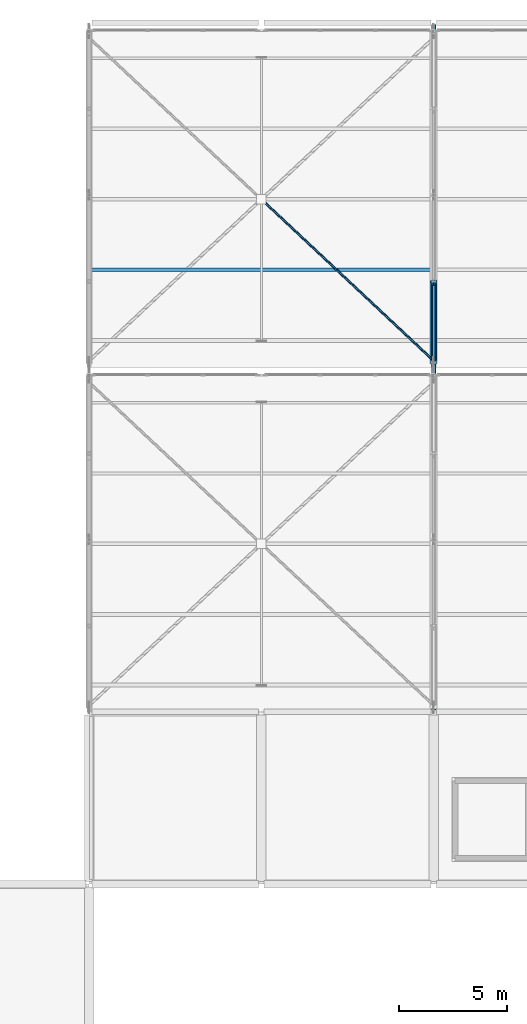
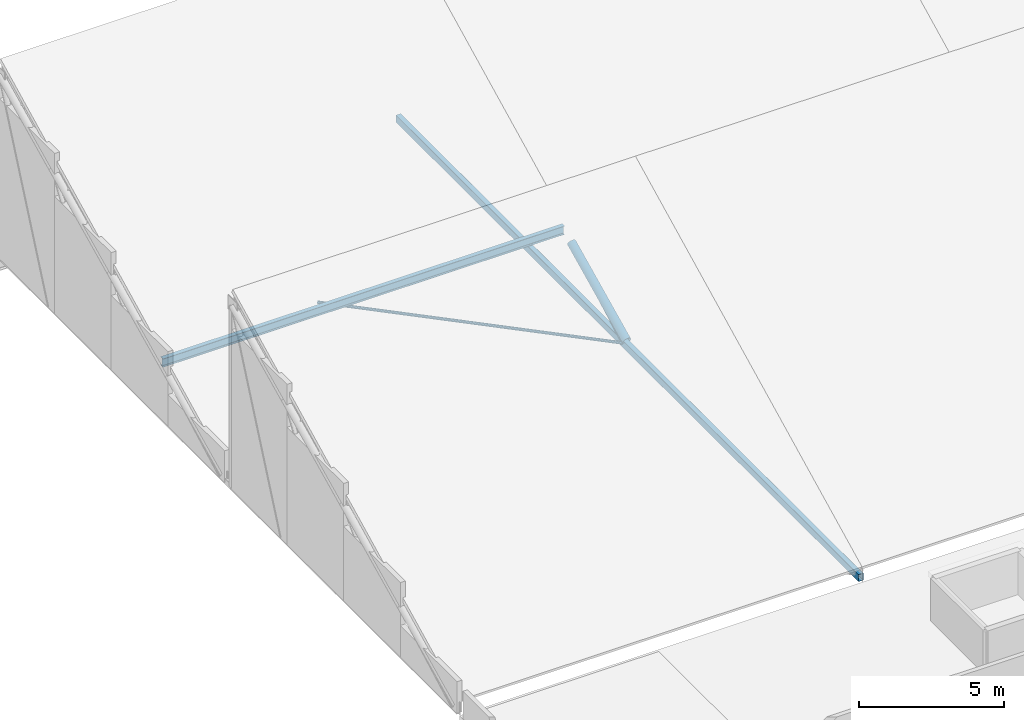
# One storey, part 43 of 137: 4 members, 1 beam.
"""IFC4 building model written with IfcOpenShell, lengths in metres."""

from ifc_helpers import new_model, si_unit, direction, frame, origin, origin_2d, place, context, subcontext, project, spatial, hollow_rectangle, hollow_circle, i_section, extrude, material, material_profile, profile_set, type_object, element, save


model = new_model("IFC4")

# Units and contexts
model_context = context("Model", 3, precision=1e-05, world=origin(), true_north=direction((0.0, 1.0)))
body_context = subcontext(model_context, "Body", "Model", "MODEL_VIEW")
ifc_project = project(units=[si_unit("LENGTHUNIT", "METRE"), si_unit("AREAUNIT", "SQUARE_METRE"), si_unit("VOLUMEUNIT", "CUBIC_METRE"), si_unit("PLANEANGLEUNIT", "RADIAN"), si_unit("MASSUNIT", "GRAM", prefix="KILO")], contexts=[model_context])

# Site, building, storey
site_placement = place(None, origin())
site = spatial("IfcSite", under=ifc_project, at=site_placement, CompositionType="ELEMENT")
building_placement = place(site_placement, origin())
building = spatial("IfcBuilding", under=site, at=building_placement, Name="Jelvoka-Kovrelna Polytechnic", CompositionType="ELEMENT")
storey_placement = place(building_placement, frame((0.0, 0.0, 9.60009765625)))
storey = spatial("IfcBuildingStorey", under=building, at=storey_placement, Name="L03", CompositionType="ELEMENT", Elevation=9.60009765625)

# Members
ifc_material_1 = material(Name="Structural steel S355J2H", Category="steel")
ifc_material_profile_1 = material_profile(ifc_material_1, hollow_circle(Radius=0.05712890625, WallThickness=0.00634765625, at=origin_2d()), Name="114.3x6.3 CHS")
ifc_profile_set_1 = profile_set([ifc_material_profile_1], Name="Structural steel S355J2H")
member_type_1 = type_object("IfcMemberType", Name="Member_Brace_CHS114", PredefinedType="BRACE", material=ifc_profile_set_1)
member_1_placement = place(storey_placement, frame((96.065673828125, 111.738525390625, 0.14990234375), z_axis=(0.729679522085, -0.683789291412, 0.0), x_axis=(0.683789291412, 0.729679522085, 0.0)))
element("IfcMember", 1, at=member_1_placement, inside=storey, type_object=member_type_1, Name="Sawtooth roof split X-brace half-diagonal 0206B", PredefinedType="BRACE", context=body_context, shape_type="SweptSolid", body=[
    extrude(hollow_circle(Radius=0.05712890625, WallThickness=0.00634765625, at=origin_2d()), origin(), (0.0, 0.0, 1.0), 10.80517578125),
])
ifc_material_2 = material(Name="Structural steel S355J2H", Category="steel")
ifc_material_profile_2 = material_profile(ifc_material_2, hollow_circle(Radius=0.109619140625, WallThickness=0.008056640625, at=origin_2d()), Name="219.1x8.0 CHS")
ifc_profile_set_2 = profile_set([ifc_material_profile_2], Name="Structural steel S355J2H")
member_type_2 = type_object("IfcMemberType", Name="Member_Brace_CHS219", PredefinedType="BRACE", material=ifc_profile_set_2)
member_2_placement = place(storey_placement, frame((104.0, 104.340087890625, 0.14990234375), z_axis=(0.0, 0.878084029324, 0.478506465418), x_axis=(-1.0, 0.0, 0.0)))
element("IfcMember", 2, at=member_2_placement, inside=storey, type_object=member_type_2, Name="Sawtooth truss 2 diagonal web 2.1", PredefinedType="BRACE", context=body_context, shape_type="SweptSolid", body=[
    extrude(hollow_circle(Radius=0.109619140625, WallThickness=0.008056640625, at=origin_2d()), origin(), (0.0, 0.0, 1.0), 4.0087890625),
])
ifc_material_3 = material(Name="Structural steel S355J2H", Category="steel")
ifc_material_profile_3 = material_profile(ifc_material_3, hollow_circle(Radius=0.161865234375, WallThickness=0.010009765625, at=origin_2d()), Name="323.9x10.0 CHS")
ifc_profile_set_3 = profile_set([ifc_material_profile_3], Name="Structural steel S355J2H")
member_type_3 = type_object("IfcMemberType", Name="Member_Chord_CHS324", PredefinedType="CHORD", material=ifc_profile_set_3)
member_3_placement = place(storey_placement, frame((104.0, 104.199951171875, 0.31640625), z_axis=(0.0, 0.900803851837, 0.434226231952), x_axis=(-1.0, 0.0, 0.0)))
element("IfcMember", 3, at=member_3_placement, inside=storey, type_object=member_type_3, Name="Sawtooth truss 2 top chord 2.1", PredefinedType="CHORD", context=body_context, shape_type="SweptSolid", body=[
    extrude(hollow_circle(Radius=0.161865234375, WallThickness=0.010009765625, at=origin_2d()), origin(), (0.0, 0.0, 1.0), 4.218505859375),
])
ifc_material_4 = material(Name="Structural steel S355J2H", Category="steel")
ifc_material_profile_4 = material_profile(ifc_material_4, hollow_rectangle(XDim=0.199951171875, YDim=0.300048828125, WallThickness=0.010009765625, InnerFilletRadius=0.010009765625, OuterFilletRadius=0.014892578125, at=origin_2d()), Name="300x200x10.0 RHS")
ifc_profile_set_4 = profile_set([ifc_material_profile_4], Name="Structural steel S355J2H")
member_type_4 = type_object("IfcMemberType", Name="Member_Chord_RHS300", PredefinedType="CHORD", material=ifc_profile_set_4)
member_4_placement = place(storey_placement, frame((104.0, 88.080078125, 0.14990234375), z_axis=(0.0, 1.0, 0.0), x_axis=(-1.0, 0.0, 0.0)))
element("IfcMember", 4, at=member_4_placement, inside=storey, type_object=member_type_4, Name="Sawtooth truss 2 continuous bottom chord", PredefinedType="CHORD", context=body_context, shape_type="SweptSolid", body=[
    extrude(hollow_rectangle(XDim=0.199951171875, YDim=0.300048828125, WallThickness=0.010009765625, InnerFilletRadius=0.010009765625, OuterFilletRadius=0.014892578125, at=origin_2d()), origin(), (0.0, 0.0, 1.0), 31.83984375),
])

# Beam
ifc_material_5 = material(Name="Structural steel S355JR", Category="steel")
ifc_material_profile_5 = material_profile(ifc_material_5, i_section(OverallWidth=0.17138671875, OverallDepth=0.35498046875, WebThickness=0.00732421875, FlangeThickness=0.011474609375, FilletRadius=0.01025390625, at=origin_2d()), Name="356x171x51 UB")
ifc_profile_set_5 = profile_set([ifc_material_profile_5], Name="Structural steel S355JR")
beam_type = type_object("IfcBeamType", Name="Purlin_Steel_UB356", PredefinedType="JOIST", material=ifc_profile_set_5)
beam_placement = place(storey_placement, frame((88.02001953125, 108.52392578125, 2.400634765625), z_axis=(1.0, 0.0, 0.0), x_axis=(0.0, 1.0, 0.0)))
element("IfcBeam", 5, at=beam_placement, inside=storey, type_object=beam_type, Name="Sawtooth roof purlin 007", PredefinedType="JOIST", context=body_context, shape_type="SweptSolid", body=[
    extrude(i_section(OverallWidth=0.17138671875, OverallDepth=0.35498046875, WebThickness=0.00732421875, FlangeThickness=0.011474609375, FilletRadius=0.01025390625, at=origin_2d()), origin(), (0.0, 0.0, 1.0), 15.9599609375),
])

save(model, "model.ifc")
